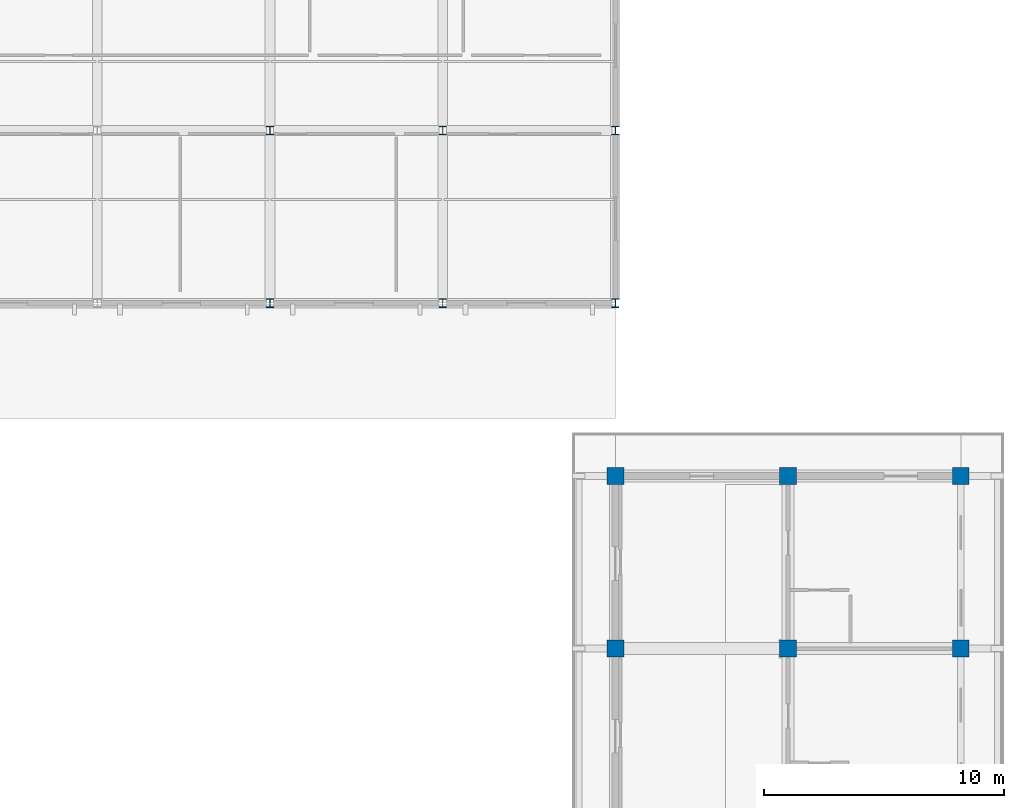
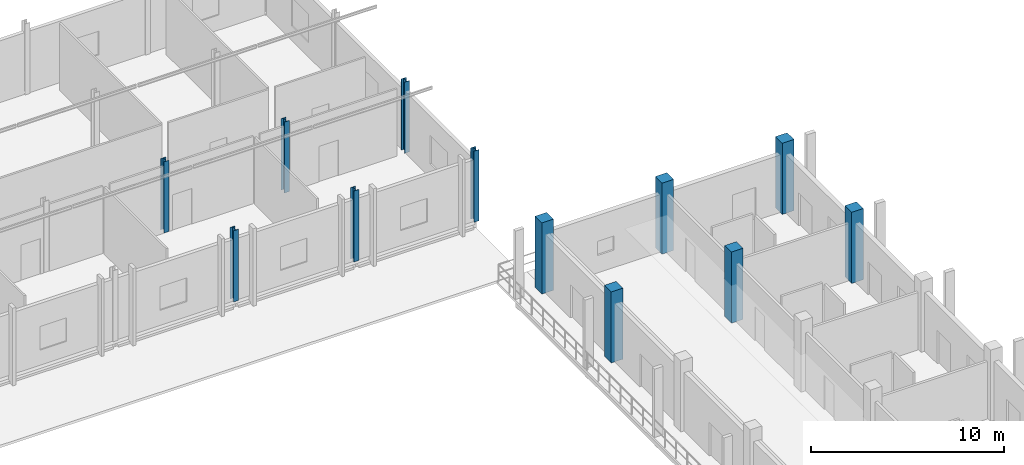
# One storey, part 11 of 110: 12 columns.
"""IFC4 building model written with IfcOpenShell, lengths in metres."""

from ifc_helpers import new_model, si_unit, direction, frame, origin, origin_2d, place, context, subcontext, project, spatial, rectangle, i_section, extrude, material, material_profile, profile_set, type_object, element, save


model = new_model("IFC4")

# Units and contexts
model_context = context("Model", 3, precision=1e-05, world=origin(), true_north=direction((0.0, 1.0)))
body_context = subcontext(model_context, "Body", "Model", "MODEL_VIEW")
ifc_project = project(units=[si_unit("LENGTHUNIT", "METRE"), si_unit("AREAUNIT", "SQUARE_METRE"), si_unit("VOLUMEUNIT", "CUBIC_METRE"), si_unit("PLANEANGLEUNIT", "RADIAN"), si_unit("MASSUNIT", "GRAM", prefix="KILO")], contexts=[model_context])

# Site, building, storey
site_placement = place(None, origin())
site = spatial("IfcSite", under=ifc_project, at=site_placement, CompositionType="ELEMENT")
building_placement = place(site_placement, origin())
building = spatial("IfcBuilding", under=site, at=building_placement, Name="Suanplinth Sawtooth Commons", CompositionType="ELEMENT")
storey_placement = place(building_placement, frame((0.0, 0.0, 4.5)))
storey = spatial("IfcBuildingStorey", under=building, at=storey_placement, Name="L01", CompositionType="ELEMENT", Elevation=4.5)

# Columns
ifc_material_1 = material(Name="Concrete C40/50", Category="concrete")
ifc_material_profile_1 = material_profile(ifc_material_1, rectangle(XDim=0.699951171875, YDim=0.699951171875, at=origin_2d()), Name="RC-COL 700x700")
ifc_profile_set_1 = profile_set([ifc_material_profile_1], Name="Concrete C40/50")
column_type_1 = type_object("IfcColumnType", Name="C-02", PredefinedType="COLUMN", material=ifc_profile_set_1)
for number, where, z_axis, x_axis, name in (
    (1, (172.800048828125, 36.0, 0.0), (0.0, 0.0, 1.0), (1.0, 0.0, 0.0), "Column L01 25/F"),
    (2, (172.800048828125, 43.199951171875, 0.0), (0.0, 0.0, 1.0), (1.0, 0.0, 0.0), "Column L01 25/G"),
    (3, (180.0, 36.0, 0.0), (0.0, 0.0, 1.0), (1.0, 0.0, 0.0), "Column L01 26/F"),
    (4, (180.0, 43.199951171875, 0.0), (0.0, 0.0, 1.0), (1.0, 0.0, 0.0), "Column L01 26/G"),
    (5, (187.199951171875, 36.0, 0.0), (0.0, 0.0, 1.0), (1.0, 0.0, 0.0), "Column L01 27/F"),
    (6, (187.199951171875, 43.199951171875, 0.0), (0.0, 0.0, 1.0), (1.0, 0.0, 0.0), "Column L01 27/G"),
):
    element("IfcColumn", number, at=place(storey_placement, frame(where, z_axis=z_axis, x_axis=x_axis)), inside=storey, type_object=column_type_1, Name=name, PredefinedType="COLUMN", context=body_context, shape_type="SweptSolid", body=[
        extrude(rectangle(XDim=0.699951171875, YDim=0.699951171875, at=origin_2d()), origin(), (0.0, 0.0, 1.0), 4.5),
    ])
ifc_material_2 = material(Name="Steel S355JR", Category="steel")
ifc_material_profile_2 = material_profile(ifc_material_2, i_section(OverallWidth=0.300048828125, OverallDepth=0.360107421875, WebThickness=0.012451171875, FlangeThickness=0.0224609375, at=origin_2d()), Name="HEB 360")
ifc_profile_set_2 = profile_set([ifc_material_profile_2], Name="Steel S355JR")
column_type_2 = type_object("IfcColumnType", Name="C-10", PredefinedType="COLUMN", material=ifc_profile_set_2)
for number, where, z_axis, x_axis, name in (
    (7, (158.39990234375, 50.39990234375, 0.0), (0.0, 0.0, 1.0), (1.0, 0.0, 0.0), "Column L01 23/H"),
    (8, (158.39990234375, 57.60009765625, 0.0), (0.0, 0.0, 1.0), (1.0, 0.0, 0.0), "Column L01 23/J"),
    (9, (165.60009765625, 50.39990234375, 0.0), (0.0, 0.0, 1.0), (1.0, 0.0, 0.0), "Column L01 24/H"),
    (10, (165.60009765625, 57.60009765625, 0.0), (0.0, 0.0, 1.0), (1.0, 0.0, 0.0), "Column L01 24/J"),
    (11, (172.800048828125, 50.39990234375, 0.0), (0.0, 0.0, 1.0), (1.0, 0.0, 0.0), "Column L01 25/H"),
    (12, (172.800048828125, 57.60009765625, 0.0), (0.0, 0.0, 1.0), (1.0, 0.0, 0.0), "Column L01 25/J"),
):
    element("IfcColumn", number, at=place(storey_placement, frame(where, z_axis=z_axis, x_axis=x_axis)), inside=storey, type_object=column_type_2, Name=name, PredefinedType="COLUMN", context=body_context, shape_type="SweptSolid", body=[
        extrude(i_section(OverallWidth=0.300048828125, OverallDepth=0.360107421875, WebThickness=0.012451171875, FlangeThickness=0.0224609375, at=origin_2d()), origin(), (0.0, 0.0, 1.0), 4.5),
    ])

save(model, "model.ifc")
